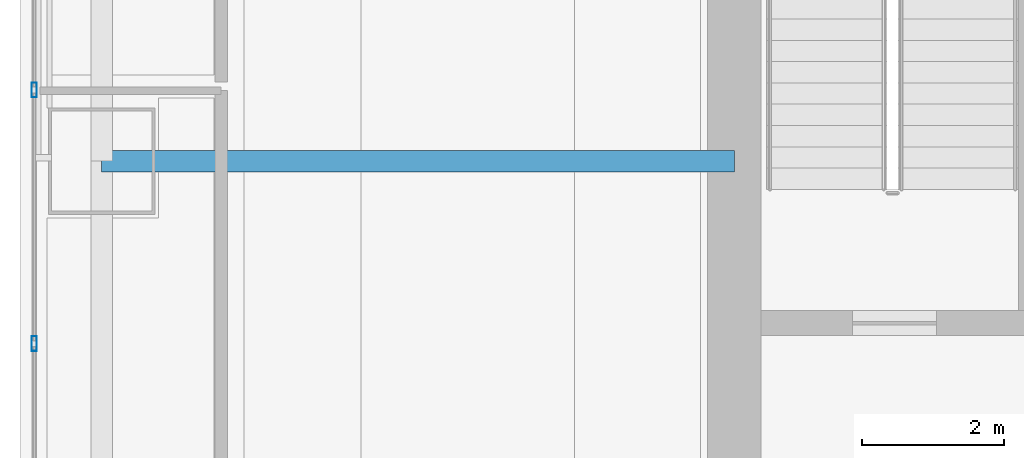
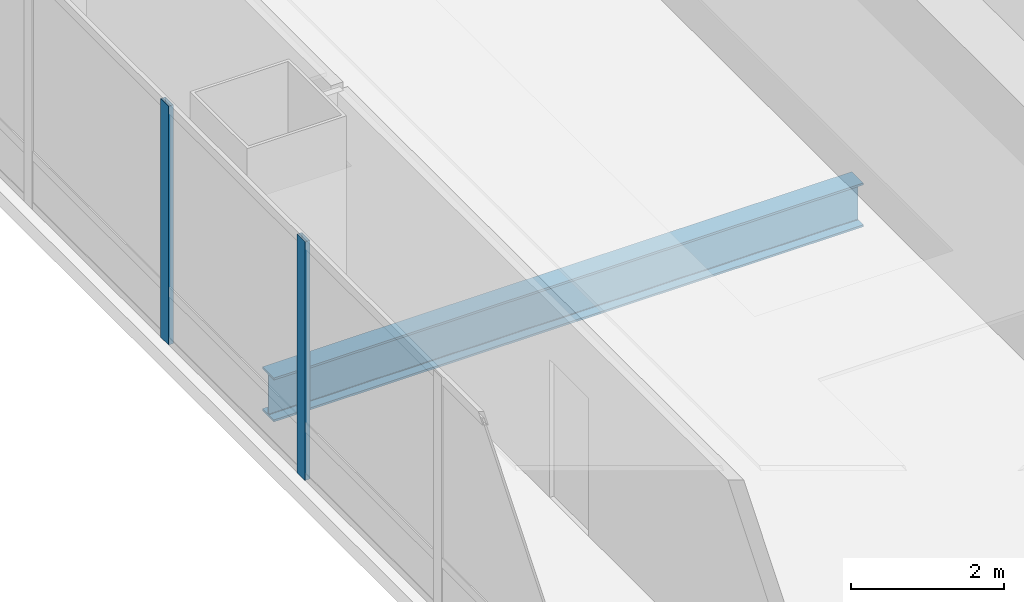
# One storey, part 8 of 35: 2 members, 1 beam, 1 element without a shape of its own.
"""IFC4 building model written with IfcOpenShell, lengths in metres."""

from ifc_helpers import new_model, si_unit, direction, frame, origin, origin_2d, place, context, subcontext, project, spatial, hollow_rectangle, i_section, extrude, material, material_profile, profile_set, type_object, element, aggregate, save


model = new_model("IFC4")

# Units and contexts
model_context = context("Model", 3, precision=1e-05, world=origin(), true_north=direction((0.0, 1.0)))
body_context = subcontext(model_context, "Body", "Model", "MODEL_VIEW")
ifc_project = project(units=[si_unit("LENGTHUNIT", "METRE"), si_unit("AREAUNIT", "SQUARE_METRE"), si_unit("VOLUMEUNIT", "CUBIC_METRE"), si_unit("PLANEANGLEUNIT", "RADIAN"), si_unit("MASSUNIT", "GRAM", prefix="KILO")], contexts=[model_context])

# Site, building, storey
site_placement = place(None, origin())
site = spatial("IfcSite", under=ifc_project, at=site_placement, CompositionType="ELEMENT")
building_placement = place(site_placement, origin())
building = spatial("IfcBuilding", under=site, at=building_placement, Name="Punatoya Terracotta Tower", CompositionType="ELEMENT")
storey_placement = place(building_placement, frame((0.0, 0.0, 72.75)))
storey = spatial("IfcBuildingStorey", under=building, at=storey_placement, Name="L16", CompositionType="ELEMENT", Elevation=72.75)

# Beam
ifc_material_1 = material(Name="Steel S355", Category="steel")
ifc_material_profile_1 = material_profile(ifc_material_1, i_section(OverallWidth=0.300048828125, OverallDepth=0.699951171875, WebThickness=0.01708984375, FlangeThickness=0.031982421875, FilletRadius=0.01806640625, at=origin_2d()))
ifc_profile_set_1 = profile_set([ifc_material_profile_1], Name="Steel S355")
beam_type = type_object("IfcBeamType", Name="BM-PRI-700", PredefinedType="BEAM", material=ifc_profile_set_1)
beam_placement = place(storey_placement, frame((-19.10009765625, -3.39990234375, -0.590087890625), z_axis=(1.0, 0.0, 0.0), x_axis=(0.0, 1.0, 0.0)))
element("IfcBeam", 1, at=beam_placement, inside=storey, type_object=beam_type, Name="BM-L16-PR-WD", PredefinedType="BEAM", context=body_context, shape_type="SweptSolid", body=[
    extrude(i_section(OverallWidth=0.300048828125, OverallDepth=0.699951171875, WebThickness=0.01708984375, FlangeThickness=0.031982421875, FilletRadius=0.01806640625, at=origin_2d()), origin(), (0.0, 0.0, 1.0), 8.900146484375),
])

# Curtain wall, members
ifc_material_2 = material(Name="Aluminium 6063-T6 + Double Low-E Glass", Category="aluminium")
curtain_wall_type = type_object("IfcCurtainWallType", Name="CW-M1", PredefinedType="NOTDEFINED", material=ifc_material_2)
curtain_wall_placement = place(storey_placement, origin())
curtain_wall = element("IfcCurtainWall", 2, at=curtain_wall_placement, inside=storey, type_object=curtain_wall_type, Name="L16 Curtain Wall CW-L16-W13-1", PredefinedType="NOTDEFINED")
ifc_material_3 = material(Name="Aluminium 6063-T6", Category="aluminium")
ifc_material_profile_2 = material_profile(ifc_material_3, hollow_rectangle(XDim=0.074951171875, YDim=0.2099609375, WallThickness=0.00439453125, at=origin_2d()))
ifc_profile_set_2 = profile_set([ifc_material_profile_2], Name="Aluminium 6063-T6")
member_type = type_object("IfcMemberType", Name="CW-MUL-M1", PredefinedType="MULLION", material=ifc_profile_set_2)
member_1_placement = place(storey_placement, frame((-20.050048828125, -2.39990234375, 0.0), z_axis=(0.0, 0.0, 1.0), x_axis=(1.0, 0.0, 0.0)))
member_1 = element("IfcMember", 3, at=member_1_placement, type_object=member_type, Name="CW-L16-W13-1 Mullion 05", PredefinedType="MULLION", context=body_context, shape_type="SweptSolid", body=[
    extrude(hollow_rectangle(XDim=0.074951171875, YDim=0.2099609375, WallThickness=0.00439453125, at=origin_2d()), origin(), (0.0, 0.0, 1.0), 3.81005859375),
])
member_2_placement = place(storey_placement, frame((-20.050048828125, -5.96728515625, 0.0), z_axis=(0.0, 0.0, 1.0), x_axis=(1.0, 0.0, 0.0)))
member_2 = element("IfcMember", 4, at=member_2_placement, type_object=member_type, Name="CW-L16-W13-1 Mullion 06", PredefinedType="MULLION", context=body_context, shape_type="SweptSolid", body=[
    extrude(hollow_rectangle(XDim=0.074951171875, YDim=0.2099609375, WallThickness=0.00439453125, at=origin_2d()), origin(), (0.0, 0.0, 1.0), 3.81005859375),
])
aggregate(curtain_wall, [member_1, member_2])

save(model, "model.ifc")
